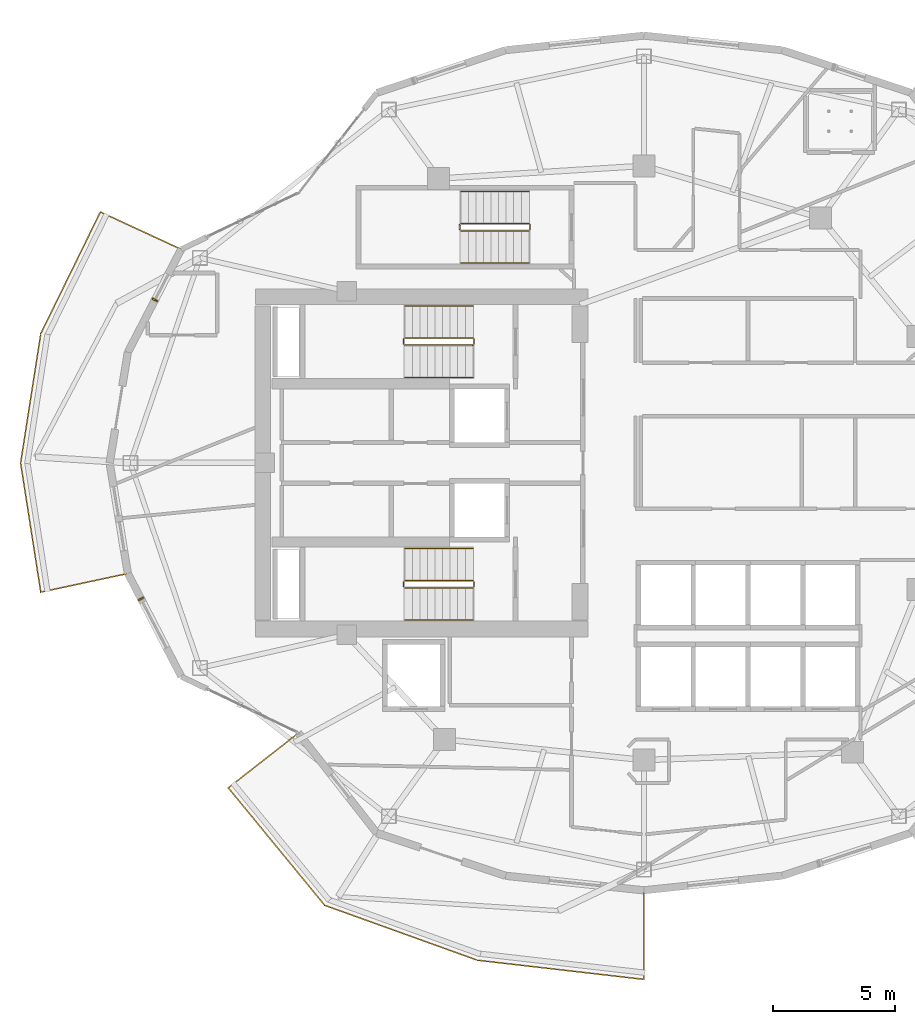
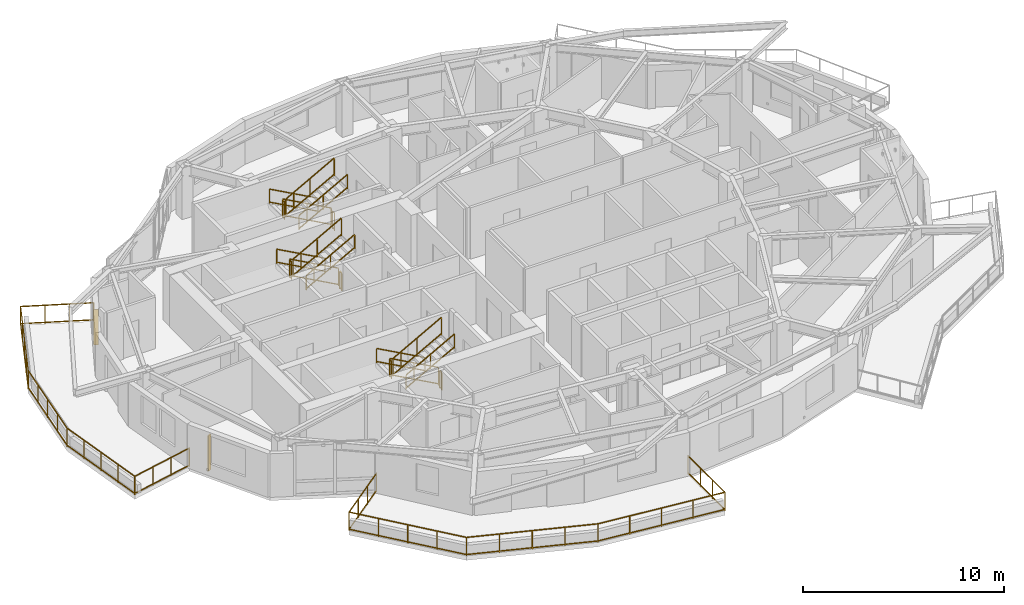
# One storey, part 14 of 16: 20 railings, 2 shading devices.
"""IFC4 building model written with IfcOpenShell, lengths in metres."""

from ifc_helpers import new_model, si_unit, direction, frame, origin, origin_2d, place, context, subcontext, project, spatial, rectangle, extrude, material, type_object, element, save


model = new_model("IFC4")

# Units and contexts
model_context = context("Model", 3, precision=1e-05, world=origin(), true_north=direction((0.0, 1.0)))
body_context = subcontext(model_context, "Body", "Model", "MODEL_VIEW")
ifc_project = project(units=[si_unit("LENGTHUNIT", "METRE"), si_unit("AREAUNIT", "SQUARE_METRE"), si_unit("VOLUMEUNIT", "CUBIC_METRE"), si_unit("PLANEANGLEUNIT", "RADIAN"), si_unit("MASSUNIT", "GRAM", prefix="KILO")], contexts=[model_context])

# Site, building, storey
site_placement = place(None, origin())
site = spatial("IfcSite", under=ifc_project, at=site_placement, CompositionType="ELEMENT")
building_placement = place(site_placement, origin())
building = spatial("IfcBuilding", under=site, at=building_placement, Name="Kolvaren Gate Tower and Convention Centre", CompositionType="ELEMENT")
storey_placement = place(building_placement, frame((0.0, 0.0, 149.5)))
storey = spatial("IfcBuildingStorey", under=building, at=storey_placement, Name="L38", CompositionType="ELEMENT", Elevation=149.5)

# Railings
ifc_material_1 = material(Name="Brushed Stainless Steel Grade 316L", Category="steel")
railing_type_1 = type_object("IfcRailingType", Name="ARCH-RL-GUARD-1150", PredefinedType="GUARDRAIL", material=ifc_material_1)
railing_1_placement = place(storey_placement, frame((23.10009765625, 32.1298828125, 0.169921875)))
element("IfcRailing", 1, at=railing_1_placement, inside=storey, type_object=railing_type_1, Name="L38 ST-T1 stair guard 1", PredefinedType="GUARDRAIL", context=body_context, shape_type="SweptSolid", body=[
    extrude(rectangle(XDim=0.048095703125, YDim=0.048095703125, at=origin_2d()), frame((0.0, 0.0, 1.076171875), z_axis=(-0.876811365212, 0.0, 0.480834513982), x_axis=(0.0, -1.0, 0.0)), (0.0, 0.0, 1.0), 3.18212890625),
    extrude(rectangle(XDim=0.048095703125, YDim=0.048095703125, at=origin_2d()), frame((0.0, 0.0, 0.083984375), z_axis=(-0.876811365212, 0.0, 0.480834513982), x_axis=(0.0, -1.0, 0.0)), (0.0, 0.0, 1.0), 3.18212890625),
    extrude(rectangle(XDim=0.0419921875, YDim=0.0419921875, at=origin_2d()), origin(), (0.0, 0.0, 1.0), 1.050048828125),
    extrude(rectangle(XDim=0.0419921875, YDim=0.0419921875, at=origin_2d()), frame((-2.7900390625, 0.0, 1.530029296875)), (0.0, 0.0, 1.0), 1.050048828125),
    extrude(rectangle(XDim=0.0419921875, YDim=0.0419921875, at=origin_2d()), frame((-1.39501953125, 0.0, 0.76513671875)), (0.0, 0.0, 1.0), 1.050048828125),
])
railing_2_placement = place(storey_placement, frame((20.260009765625, 32.080078125, 1.699951171875)))
element("IfcRailing", 2, at=railing_2_placement, inside=storey, type_object=railing_type_1, Name="L38 ST-T1 stair guard 2", PredefinedType="GUARDRAIL", context=body_context, shape_type="SweptSolid", body=[
    extrude(rectangle(XDim=0.048095703125, YDim=0.048095703125, at=origin_2d()), frame((0.0, 0.0, 1.076171875), z_axis=(0.0, -1.0, 0.0), x_axis=(1.0, 0.0, 0.0)), (0.0, 0.0, 1.0), 0.2001953125),
    extrude(rectangle(XDim=0.048095703125, YDim=0.048095703125, at=origin_2d()), frame((0.0, 0.0, 0.083984375), z_axis=(0.0, -1.0, 0.0), x_axis=(1.0, 0.0, 0.0)), (0.0, 0.0, 1.0), 0.2001953125),
    extrude(rectangle(XDim=0.0419921875, YDim=0.0419921875, at=origin_2d()), origin(), (0.0, 0.0, 1.0), 1.050048828125),
    extrude(rectangle(XDim=0.0419921875, YDim=0.0419921875, at=origin_2d()), frame((0.0, -0.2001953125, 0.0)), (0.0, 0.0, 1.0), 1.050048828125),
])
railing_3_placement = place(storey_placement, frame((20.31005859375, 31.830078125, 1.8701171875)))
element("IfcRailing", 3, at=railing_3_placement, inside=storey, type_object=railing_type_1, Name="L38 ST-T1 stair guard 3", PredefinedType="GUARDRAIL", context=body_context, shape_type="SweptSolid", body=[
    extrude(rectangle(XDim=0.048095703125, YDim=0.048095703125, at=origin_2d()), frame((0.0, 0.0, 1.076171875), z_axis=(0.876843711699, 0.0, 0.480775524808), x_axis=(0.0, 1.0, 0.0)), (0.0, 0.0, 1.0), 3.181884765625),
    extrude(rectangle(XDim=0.048095703125, YDim=0.048095703125, at=origin_2d()), frame((0.0, 0.0, 0.083984375), z_axis=(0.876843711699, 0.0, 0.480775524808), x_axis=(0.0, 1.0, 0.0)), (0.0, 0.0, 1.0), 3.181884765625),
    extrude(rectangle(XDim=0.0419921875, YDim=0.0419921875, at=origin_2d()), origin(), (0.0, 0.0, 1.0), 1.050048828125),
    extrude(rectangle(XDim=0.0419921875, YDim=0.0419921875, at=origin_2d()), frame((2.7900390625, 0.0, 1.52978515625)), (0.0, 0.0, 1.0), 1.050048828125),
    extrude(rectangle(XDim=0.0419921875, YDim=0.0419921875, at=origin_2d()), frame((1.39501953125, 0.0, 0.764892578125)), (0.0, 0.0, 1.0), 1.050048828125),
])
railing_4_placement = place(storey_placement, frame((23.14990234375, 32.080078125, 0.0)))
element("IfcRailing", 4, at=railing_4_placement, inside=storey, type_object=railing_type_1, Name="L38 ST-T1 stair guard 4", PredefinedType="GUARDRAIL", context=body_context, shape_type="SweptSolid", body=[
    extrude(rectangle(XDim=0.048095703125, YDim=0.048095703125, at=origin_2d()), frame((0.0, 0.0, 1.076171875), z_axis=(0.0, -1.0, 0.0), x_axis=(1.0, 0.0, 0.0)), (0.0, 0.0, 1.0), 0.2001953125),
    extrude(rectangle(XDim=0.048095703125, YDim=0.048095703125, at=origin_2d()), frame((0.0, 0.0, 0.083984375), z_axis=(0.0, -1.0, 0.0), x_axis=(1.0, 0.0, 0.0)), (0.0, 0.0, 1.0), 0.2001953125),
    extrude(rectangle(XDim=0.0419921875, YDim=0.0419921875, at=origin_2d()), origin(), (0.0, 0.0, 1.0), 1.050048828125),
    extrude(rectangle(XDim=0.0419921875, YDim=0.0419921875, at=origin_2d()), frame((0.0, -0.2001953125, 0.0)), (0.0, 0.0, 1.0), 1.050048828125),
])
railing_5_placement = place(storey_placement, frame((23.10009765625, 22.169921875, 0.169921875)))
element("IfcRailing", 5, at=railing_5_placement, inside=storey, type_object=railing_type_1, Name="L38 ST-T2 stair guard 1", PredefinedType="GUARDRAIL", context=body_context, shape_type="SweptSolid", body=[
    extrude(rectangle(XDim=0.048095703125, YDim=0.048095703125, at=origin_2d()), frame((0.0, 0.0, 1.076171875), z_axis=(-0.876811365212, 0.0, 0.480834513982), x_axis=(0.0, -1.0, 0.0)), (0.0, 0.0, 1.0), 3.18212890625),
    extrude(rectangle(XDim=0.048095703125, YDim=0.048095703125, at=origin_2d()), frame((0.0, 0.0, 0.083984375), z_axis=(-0.876811365212, 0.0, 0.480834513982), x_axis=(0.0, -1.0, 0.0)), (0.0, 0.0, 1.0), 3.18212890625),
    extrude(rectangle(XDim=0.0419921875, YDim=0.0419921875, at=origin_2d()), origin(), (0.0, 0.0, 1.0), 1.050048828125),
    extrude(rectangle(XDim=0.0419921875, YDim=0.0419921875, at=origin_2d()), frame((-2.7900390625, 0.0, 1.530029296875)), (0.0, 0.0, 1.0), 1.050048828125),
    extrude(rectangle(XDim=0.0419921875, YDim=0.0419921875, at=origin_2d()), frame((-1.39501953125, 0.0, 0.76513671875)), (0.0, 0.0, 1.0), 1.050048828125),
])
railing_6_placement = place(storey_placement, frame((20.260009765625, 22.1201171875, 1.699951171875)))
element("IfcRailing", 6, at=railing_6_placement, inside=storey, type_object=railing_type_1, Name="L38 ST-T2 stair guard 2", PredefinedType="GUARDRAIL", context=body_context, shape_type="SweptSolid", body=[
    extrude(rectangle(XDim=0.048095703125, YDim=0.048095703125, at=origin_2d()), frame((0.0, 0.0, 1.076171875), z_axis=(0.0, -1.0, 0.0), x_axis=(1.0, 0.0, 0.0)), (0.0, 0.0, 1.0), 0.2001953125),
    extrude(rectangle(XDim=0.048095703125, YDim=0.048095703125, at=origin_2d()), frame((0.0, 0.0, 0.083984375), z_axis=(0.0, -1.0, 0.0), x_axis=(1.0, 0.0, 0.0)), (0.0, 0.0, 1.0), 0.2001953125),
    extrude(rectangle(XDim=0.0419921875, YDim=0.0419921875, at=origin_2d()), origin(), (0.0, 0.0, 1.0), 1.050048828125),
    extrude(rectangle(XDim=0.0419921875, YDim=0.0419921875, at=origin_2d()), frame((0.0, -0.2001953125, 0.0)), (0.0, 0.0, 1.0), 1.050048828125),
])
railing_7_placement = place(storey_placement, frame((20.31005859375, 21.8701171875, 1.8701171875)))
element("IfcRailing", 7, at=railing_7_placement, inside=storey, type_object=railing_type_1, Name="L38 ST-T2 stair guard 3", PredefinedType="GUARDRAIL", context=body_context, shape_type="SweptSolid", body=[
    extrude(rectangle(XDim=0.048095703125, YDim=0.048095703125, at=origin_2d()), frame((0.0, 0.0, 1.076171875), z_axis=(0.876843711699, 0.0, 0.480775524808), x_axis=(0.0, 1.0, 0.0)), (0.0, 0.0, 1.0), 3.181884765625),
    extrude(rectangle(XDim=0.048095703125, YDim=0.048095703125, at=origin_2d()), frame((0.0, 0.0, 0.083984375), z_axis=(0.876843711699, 0.0, 0.480775524808), x_axis=(0.0, 1.0, 0.0)), (0.0, 0.0, 1.0), 3.181884765625),
    extrude(rectangle(XDim=0.0419921875, YDim=0.0419921875, at=origin_2d()), origin(), (0.0, 0.0, 1.0), 1.050048828125),
    extrude(rectangle(XDim=0.0419921875, YDim=0.0419921875, at=origin_2d()), frame((2.7900390625, 0.0, 1.52978515625)), (0.0, 0.0, 1.0), 1.050048828125),
    extrude(rectangle(XDim=0.0419921875, YDim=0.0419921875, at=origin_2d()), frame((1.39501953125, 0.0, 0.764892578125)), (0.0, 0.0, 1.0), 1.050048828125),
])
railing_8_placement = place(storey_placement, frame((23.14990234375, 22.1201171875, 0.0)))
element("IfcRailing", 8, at=railing_8_placement, inside=storey, type_object=railing_type_1, Name="L38 ST-T2 stair guard 4", PredefinedType="GUARDRAIL", context=body_context, shape_type="SweptSolid", body=[
    extrude(rectangle(XDim=0.048095703125, YDim=0.048095703125, at=origin_2d()), frame((0.0, 0.0, 1.076171875), z_axis=(0.0, -1.0, 0.0), x_axis=(1.0, 0.0, 0.0)), (0.0, 0.0, 1.0), 0.2001953125),
    extrude(rectangle(XDim=0.048095703125, YDim=0.048095703125, at=origin_2d()), frame((0.0, 0.0, 0.083984375), z_axis=(0.0, -1.0, 0.0), x_axis=(1.0, 0.0, 0.0)), (0.0, 0.0, 1.0), 0.2001953125),
    extrude(rectangle(XDim=0.0419921875, YDim=0.0419921875, at=origin_2d()), origin(), (0.0, 0.0, 1.0), 1.050048828125),
    extrude(rectangle(XDim=0.0419921875, YDim=0.0419921875, at=origin_2d()), frame((0.0, -0.2001953125, 0.0)), (0.0, 0.0, 1.0), 1.050048828125),
])
railing_9_placement = place(storey_placement, frame((25.39990234375, 36.830078125, 0.169921875)))
element("IfcRailing", 9, at=railing_9_placement, inside=storey, type_object=railing_type_1, Name="L38 ST-T3 stair guard 1", PredefinedType="GUARDRAIL", context=body_context, shape_type="SweptSolid", body=[
    extrude(rectangle(XDim=0.048095703125, YDim=0.048095703125, at=origin_2d()), frame((0.0, 0.0, 1.076171875), z_axis=(-0.8767936245, 0.0, 0.480866863109), x_axis=(0.0, -1.0, 0.0)), (0.0, 0.0, 1.0), 3.181884765625),
    extrude(rectangle(XDim=0.048095703125, YDim=0.048095703125, at=origin_2d()), frame((0.0, 0.0, 0.083984375), z_axis=(-0.8767936245, 0.0, 0.480866863109), x_axis=(0.0, -1.0, 0.0)), (0.0, 0.0, 1.0), 3.181884765625),
    extrude(rectangle(XDim=0.0419921875, YDim=0.0419921875, at=origin_2d()), origin(), (0.0, 0.0, 1.0), 1.050048828125),
    extrude(rectangle(XDim=0.0419921875, YDim=0.0419921875, at=origin_2d()), frame((-2.789794921875, 0.0, 1.530029296875)), (0.0, 0.0, 1.0), 1.050048828125),
    extrude(rectangle(XDim=0.0419921875, YDim=0.0419921875, at=origin_2d()), frame((-1.39501953125, 0.0, 0.76513671875)), (0.0, 0.0, 1.0), 1.050048828125),
])
railing_10_placement = place(storey_placement, frame((22.56005859375, 36.780029296875, 1.699951171875)))
element("IfcRailing", 10, at=railing_10_placement, inside=storey, type_object=railing_type_1, Name="L38 ST-T3 stair guard 2", PredefinedType="GUARDRAIL", context=body_context, shape_type="SweptSolid", body=[
    extrude(rectangle(XDim=0.048095703125, YDim=0.048095703125, at=origin_2d()), frame((0.0, 0.0, 1.076171875), z_axis=(0.0, -1.0, 0.0), x_axis=(1.0, 0.0, 0.0)), (0.0, 0.0, 1.0), 0.199951171875),
    extrude(rectangle(XDim=0.048095703125, YDim=0.048095703125, at=origin_2d()), frame((0.0, 0.0, 0.083984375), z_axis=(0.0, -1.0, 0.0), x_axis=(1.0, 0.0, 0.0)), (0.0, 0.0, 1.0), 0.199951171875),
    extrude(rectangle(XDim=0.0419921875, YDim=0.0419921875, at=origin_2d()), origin(), (0.0, 0.0, 1.0), 1.050048828125),
    extrude(rectangle(XDim=0.0419921875, YDim=0.0419921875, at=origin_2d()), frame((0.0, -0.199951171875, 0.0)), (0.0, 0.0, 1.0), 1.050048828125),
])
railing_11_placement = place(storey_placement, frame((22.610107421875, 36.530029296875, 1.8701171875)))
element("IfcRailing", 11, at=railing_11_placement, inside=storey, type_object=railing_type_1, Name="L38 ST-T3 stair guard 3", PredefinedType="GUARDRAIL", context=body_context, shape_type="SweptSolid", body=[
    extrude(rectangle(XDim=0.048095703125, YDim=0.048095703125, at=origin_2d()), frame((0.0, 0.0, 1.076171875), z_axis=(0.876825974686, 0.0, 0.480807872353), x_axis=(0.0, 1.0, 0.0)), (0.0, 0.0, 1.0), 3.181640625),
    extrude(rectangle(XDim=0.048095703125, YDim=0.048095703125, at=origin_2d()), frame((0.0, 0.0, 0.083984375), z_axis=(0.876825974686, 0.0, 0.480807872353), x_axis=(0.0, 1.0, 0.0)), (0.0, 0.0, 1.0), 3.181640625),
    extrude(rectangle(XDim=0.0419921875, YDim=0.0419921875, at=origin_2d()), origin(), (0.0, 0.0, 1.0), 1.050048828125),
    extrude(rectangle(XDim=0.0419921875, YDim=0.0419921875, at=origin_2d()), frame((2.789794921875, 0.0, 1.52978515625)), (0.0, 0.0, 1.0), 1.050048828125),
    extrude(rectangle(XDim=0.0419921875, YDim=0.0419921875, at=origin_2d()), frame((1.39501953125, 0.0, 0.764892578125)), (0.0, 0.0, 1.0), 1.050048828125),
])
railing_12_placement = place(storey_placement, frame((25.449951171875, 36.780029296875, 0.0)))
element("IfcRailing", 12, at=railing_12_placement, inside=storey, type_object=railing_type_1, Name="L38 ST-T3 stair guard 4", PredefinedType="GUARDRAIL", context=body_context, shape_type="SweptSolid", body=[
    extrude(rectangle(XDim=0.048095703125, YDim=0.048095703125, at=origin_2d()), frame((0.0, 0.0, 1.076171875), z_axis=(0.0, -1.0, 0.0), x_axis=(1.0, 0.0, 0.0)), (0.0, 0.0, 1.0), 0.199951171875),
    extrude(rectangle(XDim=0.048095703125, YDim=0.048095703125, at=origin_2d()), frame((0.0, 0.0, 0.083984375), z_axis=(0.0, -1.0, 0.0), x_axis=(1.0, 0.0, 0.0)), (0.0, 0.0, 1.0), 0.199951171875),
    extrude(rectangle(XDim=0.0419921875, YDim=0.0419921875, at=origin_2d()), origin(), (0.0, 0.0, 1.0), 1.050048828125),
    extrude(rectangle(XDim=0.0419921875, YDim=0.0419921875, at=origin_2d()), frame((0.0, -0.199951171875, 0.0)), (0.0, 0.0, 1.0), 1.050048828125),
])
railing_13_placement = place(storey_placement, frame((11.126708984375, 35.77490234375, 0.0)))
element("IfcRailing", 13, at=railing_13_placement, inside=storey, type_object=railing_type_1, Name="Tower L38 Terrace Perimeter Guardrail GR-2", PredefinedType="GUARDRAIL", context=body_context, shape_type="SweptSolid", body=[
    extrude(rectangle(XDim=0.048095703125, YDim=0.048095703125, at=origin_2d()), frame((-0.025390625, 0.01171875, 1.1259765625), z_axis=(-0.907820723829, 0.419358478377, 0.0), x_axis=(-0.419358478377, -0.907820723829, 0.0)), (0.0, 0.0, 1.0), 3.60400390625),
    extrude(rectangle(XDim=0.048095703125, YDim=0.048095703125, at=origin_2d()), frame((-0.025390625, 0.01171875, 0.083984375), z_axis=(-0.907820723829, 0.419358478377, 0.0), x_axis=(-0.419358478377, -0.907820723829, 0.0)), (0.0, 0.0, 1.0), 3.60400390625),
    extrude(rectangle(XDim=0.048095703125, YDim=0.048095703125, at=origin_2d()), frame((-3.335205078125, 1.509765625, 1.1259765625), z_axis=(-0.439655234701, -0.898166618507, 0.0), x_axis=(0.898166618507, -0.439655234701, 0.0)), (0.0, 0.0, 1.0), 5.51123046875),
    extrude(rectangle(XDim=0.048095703125, YDim=0.048095703125, at=origin_2d()), frame((-3.335205078125, 1.509765625, 0.083984375), z_axis=(-0.439655234701, -0.898166618507, 0.0), x_axis=(0.898166618507, -0.439655234701, 0.0)), (0.0, 0.0, 1.0), 5.51123046875),
    extrude(rectangle(XDim=0.048095703125, YDim=0.048095703125, at=origin_2d()), frame((-5.77490234375, -3.493408203125, 1.1259765625), z_axis=(-0.154200861408, -0.988039520637, 0.0), x_axis=(0.988039520637, -0.154200861408, 0.0)), (0.0, 0.0, 1.0), 5.3173828125),
    extrude(rectangle(XDim=0.048095703125, YDim=0.048095703125, at=origin_2d()), frame((-5.77490234375, -3.493408203125, 0.083984375), z_axis=(-0.154200861408, -0.988039520637, 0.0), x_axis=(0.988039520637, -0.154200861408, 0.0)), (0.0, 0.0, 1.0), 5.3173828125),
    extrude(rectangle(XDim=0.048095703125, YDim=0.048095703125, at=origin_2d()), frame((-6.5947265625, -8.802734375, 1.1259765625), z_axis=(0.154200861408, -0.988039520637, 0.0), x_axis=(0.988039520637, 0.154200861408, 0.0)), (0.0, 0.0, 1.0), 5.3173828125),
    extrude(rectangle(XDim=0.048095703125, YDim=0.048095703125, at=origin_2d()), frame((-6.5947265625, -8.802734375, 0.083984375), z_axis=(0.154200861408, -0.988039520637, 0.0), x_axis=(0.988039520637, 0.154200861408, 0.0)), (0.0, 0.0, 1.0), 5.3173828125),
    extrude(rectangle(XDim=0.048095703125, YDim=0.048095703125, at=origin_2d()), frame((-5.7431640625, -14.078369140625, 1.1259765625), z_axis=(0.977791675321, 0.209579196661, 0.0), x_axis=(-0.209579196661, 0.977791675321, 0.0)), (0.0, 0.0, 1.0), 3.60400390625),
    extrude(rectangle(XDim=0.048095703125, YDim=0.048095703125, at=origin_2d()), frame((-5.7431640625, -14.078369140625, 0.083984375), z_axis=(0.977791675321, 0.209579196661, 0.0), x_axis=(-0.209579196661, 0.977791675321, 0.0)), (0.0, 0.0, 1.0), 3.60400390625),
    extrude(rectangle(XDim=0.0419921875, YDim=0.0419921875, at=origin_2d()), origin(), (0.0, 0.0, 1.0), 1.14990234375),
    extrude(rectangle(XDim=0.0419921875, YDim=0.0419921875, at=origin_2d()), frame((-3.32275390625, 1.534912109375, 0.0)), (0.0, 0.0, 1.0), 1.14990234375),
    extrude(rectangle(XDim=0.0419921875, YDim=0.0419921875, at=origin_2d()), frame((-1.107666015625, 0.51171875, 0.0)), (0.0, 0.0, 1.0), 1.099853515625),
    extrude(rectangle(XDim=0.0419921875, YDim=0.0419921875, at=origin_2d()), frame((-2.215087890625, 1.023193359375, 0.0)), (0.0, 0.0, 1.0), 1.099853515625),
    extrude(rectangle(XDim=0.0419921875, YDim=0.0419921875, at=origin_2d()), frame((-5.7705078125, -3.465576171875, 0.0)), (0.0, 0.0, 1.0), 1.14990234375),
    extrude(rectangle(XDim=0.0419921875, YDim=0.0419921875, at=origin_2d()), frame((-3.9345703125, 0.28466796875, 0.0)), (0.0, 0.0, 1.0), 1.099853515625),
    extrude(rectangle(XDim=0.0419921875, YDim=0.0419921875, at=origin_2d()), frame((-4.546630859375, -0.96533203125, 0.0)), (0.0, 0.0, 1.0), 1.099853515625),
    extrude(rectangle(XDim=0.0419921875, YDim=0.0419921875, at=origin_2d()), frame((-5.15869140625, -2.21533203125, 0.0)), (0.0, 0.0, 1.0), 1.099853515625),
    extrude(rectangle(XDim=0.0419921875, YDim=0.0419921875, at=origin_2d()), frame((-6.59912109375, -8.77490234375, 0.0)), (0.0, 0.0, 1.0), 1.14990234375),
    extrude(rectangle(XDim=0.0419921875, YDim=0.0419921875, at=origin_2d()), frame((-5.9775390625, -4.79296875, 0.0)), (0.0, 0.0, 1.0), 1.099853515625),
    extrude(rectangle(XDim=0.0419921875, YDim=0.0419921875, at=origin_2d()), frame((-6.184814453125, -6.1201171875, 0.0)), (0.0, 0.0, 1.0), 1.099853515625),
    extrude(rectangle(XDim=0.0419921875, YDim=0.0419921875, at=origin_2d()), frame((-6.39208984375, -7.447509765625, 0.0)), (0.0, 0.0, 1.0), 1.099853515625),
    extrude(rectangle(XDim=0.0419921875, YDim=0.0419921875, at=origin_2d()), frame((-5.7705078125, -14.084228515625, 0.0)), (0.0, 0.0, 1.0), 1.14990234375),
    extrude(rectangle(XDim=0.0419921875, YDim=0.0419921875, at=origin_2d()), frame((-6.39208984375, -10.102294921875, 0.0)), (0.0, 0.0, 1.0), 1.099853515625),
    extrude(rectangle(XDim=0.0419921875, YDim=0.0419921875, at=origin_2d()), frame((-6.184814453125, -11.4296875, 0.0)), (0.0, 0.0, 1.0), 1.099853515625),
    extrude(rectangle(XDim=0.0419921875, YDim=0.0419921875, at=origin_2d()), frame((-5.9775390625, -12.7568359375, 0.0)), (0.0, 0.0, 1.0), 1.099853515625),
    extrude(rectangle(XDim=0.0419921875, YDim=0.0419921875, at=origin_2d()), frame((-2.191650390625, -13.317138671875, 0.0)), (0.0, 0.0, 1.0), 1.14990234375),
    extrude(rectangle(XDim=0.0419921875, YDim=0.0419921875, at=origin_2d()), frame((-4.57763671875, -13.82861328125, 0.0)), (0.0, 0.0, 1.0), 1.099853515625),
    extrude(rectangle(XDim=0.0419921875, YDim=0.0419921875, at=origin_2d()), frame((-3.384521484375, -13.57275390625, 0.0)), (0.0, 0.0, 1.0), 1.099853515625),
])
railing_14_placement = place(storey_placement, frame((15.9365234375, 15.9140625, 0.0)))
element("IfcRailing", 14, at=railing_14_placement, inside=storey, type_object=railing_type_1, Name="Tower L38 Terrace Perimeter Guardrail GR-3", PredefinedType="GUARDRAIL", context=body_context, shape_type="SweptSolid", body=[
    extrude(rectangle(XDim=0.048095703125, YDim=0.048095703125, at=origin_2d()), frame((-0.022216796875, -0.017333984375, 1.1259765625), z_axis=(-0.787988976981, -0.61568934712, 0.0), x_axis=(0.61568934712, -0.787988976981, 0.0)), (0.0, 0.0, 1.0), 3.60400390625),
    extrude(rectangle(XDim=0.048095703125, YDim=0.048095703125, at=origin_2d()), frame((-0.022216796875, -0.017333984375, 0.083984375), z_axis=(-0.787988976981, -0.61568934712, 0.0), x_axis=(0.61568934712, -0.787988976981, 0.0)), (0.0, 0.0, 1.0), 3.60400390625),
    extrude(rectangle(XDim=0.048095703125, YDim=0.048095703125, at=origin_2d()), frame((-2.8662109375, -2.275146484375, 1.1259765625), z_axis=(0.634429234628, -0.77298094818, 0.0), x_axis=(0.77298094818, 0.634429234628, 0.0)), (0.0, 0.0, 1.0), 6.188720703125),
    extrude(rectangle(XDim=0.048095703125, YDim=0.048095703125, at=origin_2d()), frame((-2.8662109375, -2.275146484375, 0.083984375), z_axis=(0.634429234628, -0.77298094818, 0.0), x_axis=(0.77298094818, 0.634429234628, 0.0)), (0.0, 0.0, 1.0), 6.188720703125),
    extrude(rectangle(XDim=0.048095703125, YDim=0.048095703125, at=origin_2d()), frame((1.104248046875, -7.090087890625, 1.1259765625), z_axis=(0.940948576924, -0.338549517184, 0.0), x_axis=(0.338549517184, 0.940948576924, 0.0)), (0.0, 0.0, 1.0), 6.60791015625),
    extrude(rectangle(XDim=0.048095703125, YDim=0.048095703125, at=origin_2d()), frame((1.104248046875, -7.090087890625, 0.083984375), z_axis=(0.940948576924, -0.338549517184, 0.0), x_axis=(0.338549517184, 0.940948576924, 0.0)), (0.0, 0.0, 1.0), 6.60791015625),
    extrude(rectangle(XDim=0.048095703125, YDim=0.048095703125, at=origin_2d()), frame((7.376220703125, -9.33984375, 1.1259765625), z_axis=(0.993440112849, -0.114353584036, 0.0), x_axis=(0.114353584036, 0.993440112849, 0.0)), (0.0, 0.0, 1.0), 6.8291015625),
    extrude(rectangle(XDim=0.048095703125, YDim=0.048095703125, at=origin_2d()), frame((7.376220703125, -9.33984375, 0.083984375), z_axis=(0.993440112849, -0.114353584036, 0.0), x_axis=(0.114353584036, 0.993440112849, 0.0)), (0.0, 0.0, 1.0), 6.8291015625),
    extrude(rectangle(XDim=0.048095703125, YDim=0.048095703125, at=origin_2d()), frame((14.1884765625, -10.095947265625, 1.1259765625), z_axis=(0.0, 1.0, 0.0), x_axis=(-1.0, 0.0, 0.0)), (0.0, 0.0, 1.0), 3.603759765625),
    extrude(rectangle(XDim=0.048095703125, YDim=0.048095703125, at=origin_2d()), frame((14.1884765625, -10.095947265625, 0.083984375), z_axis=(0.0, 1.0, 0.0), x_axis=(-1.0, 0.0, 0.0)), (0.0, 0.0, 1.0), 3.603759765625),
    extrude(rectangle(XDim=0.0419921875, YDim=0.0419921875, at=origin_2d()), origin(), (0.0, 0.0, 1.0), 1.14990234375),
    extrude(rectangle(XDim=0.0419921875, YDim=0.0419921875, at=origin_2d()), frame((-2.884033203125, -2.25341796875, 0.0)), (0.0, 0.0, 1.0), 1.14990234375),
    extrude(rectangle(XDim=0.0419921875, YDim=0.0419921875, at=origin_2d()), frame((-0.96142578125, -0.751220703125, 0.0)), (0.0, 0.0, 1.0), 1.099853515625),
    extrude(rectangle(XDim=0.0419921875, YDim=0.0419921875, at=origin_2d()), frame((-1.922607421875, -1.502197265625, 0.0)), (0.0, 0.0, 1.0), 1.099853515625),
    extrude(rectangle(XDim=0.0419921875, YDim=0.0419921875, at=origin_2d()), frame((1.077880859375, -7.08056640625, 0.0)), (0.0, 0.0, 1.0), 1.14990234375),
    extrude(rectangle(XDim=0.0419921875, YDim=0.0419921875, at=origin_2d()), frame((-1.8935546875, -3.460205078125, 0.0)), (0.0, 0.0, 1.0), 1.099853515625),
    extrude(rectangle(XDim=0.0419921875, YDim=0.0419921875, at=origin_2d()), frame((-0.903076171875, -4.6669921875, 0.0)), (0.0, 0.0, 1.0), 1.099853515625),
    extrude(rectangle(XDim=0.0419921875, YDim=0.0419921875, at=origin_2d()), frame((0.08740234375, -5.873779296875, 0.0)), (0.0, 0.0, 1.0), 1.099853515625),
    extrude(rectangle(XDim=0.0419921875, YDim=0.0419921875, at=origin_2d()), frame((7.348388671875, -9.336669921875, 0.0)), (0.0, 0.0, 1.0), 1.14990234375),
    extrude(rectangle(XDim=0.0419921875, YDim=0.0419921875, at=origin_2d()), frame((2.6455078125, -7.64453125, 0.0)), (0.0, 0.0, 1.0), 1.099853515625),
    extrude(rectangle(XDim=0.0419921875, YDim=0.0419921875, at=origin_2d()), frame((4.213134765625, -8.20849609375, 0.0)), (0.0, 0.0, 1.0), 1.099853515625),
    extrude(rectangle(XDim=0.0419921875, YDim=0.0419921875, at=origin_2d()), frame((5.78076171875, -8.772705078125, 0.0)), (0.0, 0.0, 1.0), 1.099853515625),
    extrude(rectangle(XDim=0.0419921875, YDim=0.0419921875, at=origin_2d()), frame((14.1884765625, -10.1240234375, 0.0)), (0.0, 0.0, 1.0), 1.14990234375),
    extrude(rectangle(XDim=0.0419921875, YDim=0.0419921875, at=origin_2d()), frame((9.058349609375, -9.533447265625, 0.0)), (0.0, 0.0, 1.0), 1.099853515625),
    extrude(rectangle(XDim=0.0419921875, YDim=0.0419921875, at=origin_2d()), frame((10.7685546875, -9.73046875, 0.0)), (0.0, 0.0, 1.0), 1.099853515625),
    extrude(rectangle(XDim=0.0419921875, YDim=0.0419921875, at=origin_2d()), frame((12.478515625, -9.92724609375, 0.0)), (0.0, 0.0, 1.0), 1.099853515625),
    extrude(rectangle(XDim=0.0419921875, YDim=0.0419921875, at=origin_2d()), frame((14.1884765625, -6.464111328125, 0.0)), (0.0, 0.0, 1.0), 1.14990234375),
    extrude(rectangle(XDim=0.0419921875, YDim=0.0419921875, at=origin_2d()), frame((14.1884765625, -8.904052734375, 0.0)), (0.0, 0.0, 1.0), 1.099853515625),
    extrude(rectangle(XDim=0.0419921875, YDim=0.0419921875, at=origin_2d()), frame((14.1884765625, -7.68408203125, 0.0)), (0.0, 0.0, 1.0), 1.099853515625),
])
railing_type_2 = type_object("IfcRailingType", Name="ARCH-RL-HANDRAIL-920", PredefinedType="HANDRAIL", material=ifc_material_1)
railing_15_placement = place(storey_placement, frame((23.10009765625, 33.449951171875, 0.169921875)))
element("IfcRailing", 15, at=railing_15_placement, inside=storey, type_object=railing_type_2, Name="L38 ST-T1 stair handrail 1", PredefinedType="HANDRAIL", context=body_context, shape_type="SweptSolid", body=[
    extrude(rectangle(XDim=0.048095703125, YDim=0.048095703125, at=origin_2d()), frame((0.0, 0.0, 0.8759765625), z_axis=(-0.876811365212, 0.0, 0.480834513982), x_axis=(0.0, -1.0, 0.0)), (0.0, 0.0, 1.0), 3.18212890625),
    extrude(rectangle(XDim=0.048095703125, YDim=0.048095703125, at=origin_2d()), frame((0.0, 0.0, 0.083984375), z_axis=(-0.876811365212, 0.0, 0.480834513982), x_axis=(0.0, -1.0, 0.0)), (0.0, 0.0, 1.0), 3.18212890625),
    extrude(rectangle(XDim=0.0419921875, YDim=0.0419921875, at=origin_2d()), origin(), (0.0, 0.0, 1.0), 0.849853515625),
    extrude(rectangle(XDim=0.0419921875, YDim=0.0419921875, at=origin_2d()), frame((-2.7900390625, 0.0, 1.530029296875)), (0.0, 0.0, 1.0), 0.849853515625),
    extrude(rectangle(XDim=0.0419921875, YDim=0.0419921875, at=origin_2d()), frame((-1.39501953125, 0.0, 0.76513671875)), (0.0, 0.0, 1.0), 0.849853515625),
])
railing_16_placement = place(storey_placement, frame((20.31005859375, 30.510009765625, 1.8701171875)))
element("IfcRailing", 16, at=railing_16_placement, inside=storey, type_object=railing_type_2, Name="L38 ST-T1 stair handrail 2", PredefinedType="HANDRAIL", context=body_context, shape_type="SweptSolid", body=[
    extrude(rectangle(XDim=0.048095703125, YDim=0.048095703125, at=origin_2d()), frame((0.0, 0.0, 0.8759765625), z_axis=(0.876843711699, 0.0, 0.480775524808), x_axis=(0.0, 1.0, 0.0)), (0.0, 0.0, 1.0), 3.181884765625),
    extrude(rectangle(XDim=0.048095703125, YDim=0.048095703125, at=origin_2d()), frame((0.0, 0.0, 0.083984375), z_axis=(0.876843711699, 0.0, 0.480775524808), x_axis=(0.0, 1.0, 0.0)), (0.0, 0.0, 1.0), 3.181884765625),
    extrude(rectangle(XDim=0.0419921875, YDim=0.0419921875, at=origin_2d()), origin(), (0.0, 0.0, 1.0), 0.849853515625),
    extrude(rectangle(XDim=0.0419921875, YDim=0.0419921875, at=origin_2d()), frame((2.7900390625, 0.0, 1.52978515625)), (0.0, 0.0, 1.0), 0.849853515625),
    extrude(rectangle(XDim=0.0419921875, YDim=0.0419921875, at=origin_2d()), frame((1.39501953125, 0.0, 0.764892578125)), (0.0, 0.0, 1.0), 0.849853515625),
])
railing_17_placement = place(storey_placement, frame((23.10009765625, 23.489990234375, 0.169921875)))
element("IfcRailing", 17, at=railing_17_placement, inside=storey, type_object=railing_type_2, Name="L38 ST-T2 stair handrail 1", PredefinedType="HANDRAIL", context=body_context, shape_type="SweptSolid", body=[
    extrude(rectangle(XDim=0.048095703125, YDim=0.048095703125, at=origin_2d()), frame((0.0, 0.0, 0.8759765625), z_axis=(-0.876811365212, 0.0, 0.480834513982), x_axis=(0.0, -1.0, 0.0)), (0.0, 0.0, 1.0), 3.18212890625),
    extrude(rectangle(XDim=0.048095703125, YDim=0.048095703125, at=origin_2d()), frame((0.0, 0.0, 0.083984375), z_axis=(-0.876811365212, 0.0, 0.480834513982), x_axis=(0.0, -1.0, 0.0)), (0.0, 0.0, 1.0), 3.18212890625),
    extrude(rectangle(XDim=0.0419921875, YDim=0.0419921875, at=origin_2d()), origin(), (0.0, 0.0, 1.0), 0.849853515625),
    extrude(rectangle(XDim=0.0419921875, YDim=0.0419921875, at=origin_2d()), frame((-2.7900390625, 0.0, 1.530029296875)), (0.0, 0.0, 1.0), 0.849853515625),
    extrude(rectangle(XDim=0.0419921875, YDim=0.0419921875, at=origin_2d()), frame((-1.39501953125, 0.0, 0.76513671875)), (0.0, 0.0, 1.0), 0.849853515625),
])
railing_18_placement = place(storey_placement, frame((20.31005859375, 20.550048828125, 1.8701171875)))
element("IfcRailing", 18, at=railing_18_placement, inside=storey, type_object=railing_type_2, Name="L38 ST-T2 stair handrail 2", PredefinedType="HANDRAIL", context=body_context, shape_type="SweptSolid", body=[
    extrude(rectangle(XDim=0.048095703125, YDim=0.048095703125, at=origin_2d()), frame((0.0, 0.0, 0.8759765625), z_axis=(0.876843711699, 0.0, 0.480775524808), x_axis=(0.0, 1.0, 0.0)), (0.0, 0.0, 1.0), 3.181884765625),
    extrude(rectangle(XDim=0.048095703125, YDim=0.048095703125, at=origin_2d()), frame((0.0, 0.0, 0.083984375), z_axis=(0.876843711699, 0.0, 0.480775524808), x_axis=(0.0, 1.0, 0.0)), (0.0, 0.0, 1.0), 3.181884765625),
    extrude(rectangle(XDim=0.0419921875, YDim=0.0419921875, at=origin_2d()), origin(), (0.0, 0.0, 1.0), 0.849853515625),
    extrude(rectangle(XDim=0.0419921875, YDim=0.0419921875, at=origin_2d()), frame((2.7900390625, 0.0, 1.52978515625)), (0.0, 0.0, 1.0), 0.849853515625),
    extrude(rectangle(XDim=0.0419921875, YDim=0.0419921875, at=origin_2d()), frame((1.39501953125, 0.0, 0.764892578125)), (0.0, 0.0, 1.0), 0.849853515625),
])
railing_19_placement = place(storey_placement, frame((25.39990234375, 38.14990234375, 0.169921875)))
element("IfcRailing", 19, at=railing_19_placement, inside=storey, type_object=railing_type_2, Name="L38 ST-T3 stair handrail 1", PredefinedType="HANDRAIL", context=body_context, shape_type="SweptSolid", body=[
    extrude(rectangle(XDim=0.048095703125, YDim=0.048095703125, at=origin_2d()), frame((0.0, 0.0, 0.8759765625), z_axis=(-0.8767936245, 0.0, 0.480866863109), x_axis=(0.0, -1.0, 0.0)), (0.0, 0.0, 1.0), 3.181884765625),
    extrude(rectangle(XDim=0.048095703125, YDim=0.048095703125, at=origin_2d()), frame((0.0, 0.0, 0.083984375), z_axis=(-0.8767936245, 0.0, 0.480866863109), x_axis=(0.0, -1.0, 0.0)), (0.0, 0.0, 1.0), 3.181884765625),
    extrude(rectangle(XDim=0.0419921875, YDim=0.0419921875, at=origin_2d()), origin(), (0.0, 0.0, 1.0), 0.849853515625),
    extrude(rectangle(XDim=0.0419921875, YDim=0.0419921875, at=origin_2d()), frame((-2.789794921875, 0.0, 1.530029296875)), (0.0, 0.0, 1.0), 0.849853515625),
    extrude(rectangle(XDim=0.0419921875, YDim=0.0419921875, at=origin_2d()), frame((-1.39501953125, 0.0, 0.76513671875)), (0.0, 0.0, 1.0), 0.849853515625),
])
railing_20_placement = place(storey_placement, frame((22.610107421875, 35.2099609375, 1.8701171875)))
element("IfcRailing", 20, at=railing_20_placement, inside=storey, type_object=railing_type_2, Name="L38 ST-T3 stair handrail 2", PredefinedType="HANDRAIL", context=body_context, shape_type="SweptSolid", body=[
    extrude(rectangle(XDim=0.048095703125, YDim=0.048095703125, at=origin_2d()), frame((0.0, 0.0, 0.8759765625), z_axis=(0.876825974686, 0.0, 0.480807872353), x_axis=(0.0, 1.0, 0.0)), (0.0, 0.0, 1.0), 3.181640625),
    extrude(rectangle(XDim=0.048095703125, YDim=0.048095703125, at=origin_2d()), frame((0.0, 0.0, 0.083984375), z_axis=(0.876825974686, 0.0, 0.480807872353), x_axis=(0.0, 1.0, 0.0)), (0.0, 0.0, 1.0), 3.181640625),
    extrude(rectangle(XDim=0.0419921875, YDim=0.0419921875, at=origin_2d()), origin(), (0.0, 0.0, 1.0), 0.849853515625),
    extrude(rectangle(XDim=0.0419921875, YDim=0.0419921875, at=origin_2d()), frame((2.789794921875, 0.0, 1.52978515625)), (0.0, 0.0, 1.0), 0.849853515625),
    extrude(rectangle(XDim=0.0419921875, YDim=0.0419921875, at=origin_2d()), frame((1.39501953125, 0.0, 0.764892578125)), (0.0, 0.0, 1.0), 0.849853515625),
])

# Shading devices
ifc_material_2 = material(Name="Kiln-Fired Bogota Terracotta Ceramic Louvre Profile", Category="masonry")
shading_device_type = type_object("IfcShadingDeviceType", Name="ARCH-SHD-FIN-180", PredefinedType="JALOUSIE", material=ifc_material_2)
for number, where, z_axis, x_axis, name in (
    (21, (10.047607421875, 33.69140625, 0.219970703125), (0.0, 0.0, 1.0), (0.459798409467, 0.888023323259, 0.0), "Ceramic Vertical Brise-Soleil Fin FN-L38-10"),
    (22, (9.474365234375, 21.416015625, 0.219970703125), (0.0, 0.0, 1.0), (0.459798409467, -0.888023323259, 0.0), "Ceramic Vertical Brise-Soleil Fin FN-L38-13"),
):
    element("IfcShadingDevice", number, at=place(storey_placement, frame(where, z_axis=z_axis, x_axis=x_axis)), inside=storey, type_object=shading_device_type, Name=name, PredefinedType="JALOUSIE", context=body_context, shape_type="SweptSolid", body=[
        extrude(rectangle(XDim=0.06005859375, YDim=0.239990234375, at=origin_2d()), origin(), (0.0, 0.0, 1.0), 2.14990234375),
    ])

save(model, "model.ifc")
